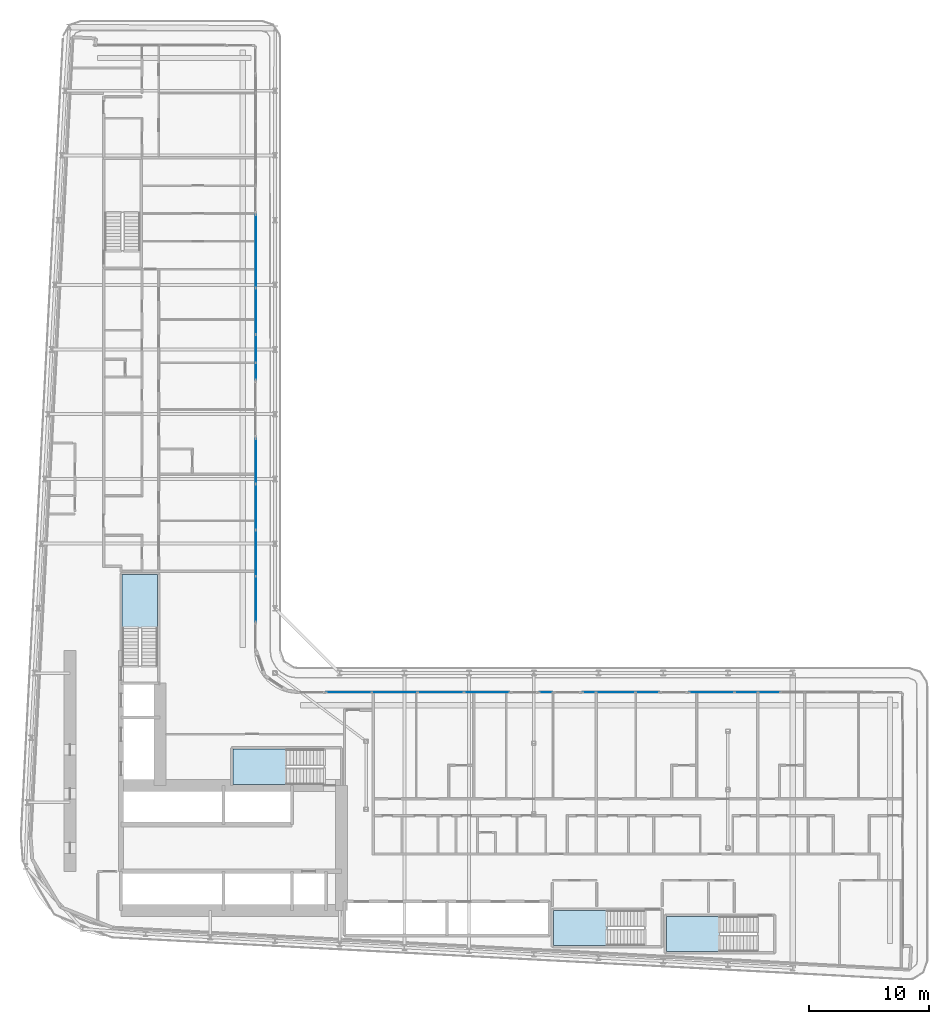
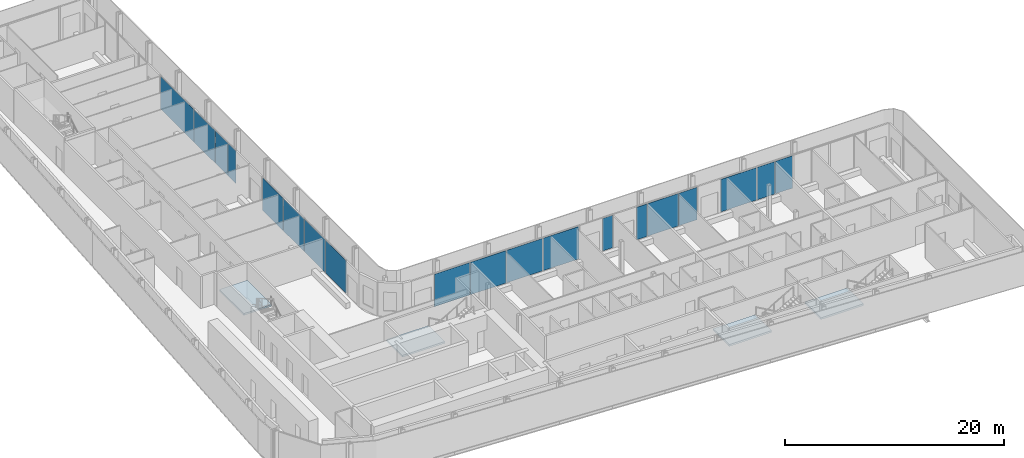
# One storey, part 10 of 29: 19 plates, 4 slabs, 13 elements without a shape of their own.
"""IFC4 building model written with IfcOpenShell, lengths in metres."""

from ifc_helpers import new_model, si_unit, direction, frame, origin, origin_2d, place, context, subcontext, project, spatial, polyline, rectangle, outline, extrude, material, layer, layer_set, type_object, element, aggregate, save


model = new_model("IFC4")

# Units and contexts
model_context = context("Model", 3, precision=1e-05, world=origin(), true_north=direction((0.0, 1.0)))
body_context = subcontext(model_context, "Body", "Model", "MODEL_VIEW")
ifc_project = project(units=[si_unit("LENGTHUNIT", "METRE"), si_unit("AREAUNIT", "SQUARE_METRE"), si_unit("VOLUMEUNIT", "CUBIC_METRE"), si_unit("PLANEANGLEUNIT", "RADIAN"), si_unit("MASSUNIT", "GRAM", prefix="KILO")], contexts=[model_context])

# Site, building, storey
site_placement = place(None, origin())
site = spatial("IfcSite", under=ifc_project, at=site_placement, CompositionType="ELEMENT")
building_placement = place(site_placement, origin())
building = spatial("IfcBuilding", under=site, at=building_placement, Name="Kheshtan School and Residences Tower", CompositionType="ELEMENT")
storey_placement = place(building_placement, frame((0.0, 0.0, 61.699951171875)))
storey = spatial("IfcBuildingStorey", under=building, at=storey_placement, Name="L14", CompositionType="ELEMENT", Elevation=61.699951171875)

# Curtain wall, plate
ifc_material_1 = material(Name="Clear low-e glass in thermally broken aluminium frame", Category="aluminium")
ifc_layer_1 = layer(ifc_material_1, 0.199951171875)
ifc_layer_set_1 = layer_set([ifc_layer_1], Name="Curtain wall CW-L")
curtain_wall_type = type_object("IfcCurtainWallType", Name="Curtain wall CW-L", PredefinedType="NOTDEFINED", material=ifc_layer_set_1)
curtain_wall_1_placement = place(storey_placement, origin())
curtain_wall_1 = element("IfcCurtainWall", 1, at=curtain_wall_1_placement, inside=storey, type_object=curtain_wall_type, Name="Curtain wall CWL8d", PredefinedType="NOTDEFINED")
ifc_layer_2 = layer(ifc_material_1, 0.031982421875)
ifc_layer_set_2 = layer_set([ifc_layer_2], Name="CW-L glass panel")
plate_type = type_object("IfcPlateType", Name="CW-L glass panel", PredefinedType="CURTAIN_PANEL", material=ifc_layer_set_2)
plate_1_placement = place(storey_placement, frame((46.0, 80.80908203125, 0.0), z_axis=(0.0, 0.0, 1.0), x_axis=(0.0, -1.0, 0.0)))
plate_1 = element("IfcPlate", 2, at=plate_1_placement, type_object=plate_type, Name="CWL8d panel 1.1", PredefinedType="CURTAIN_PANEL", context=body_context, shape_type="SweptSolid", body=[
    extrude(rectangle(XDim=6.073974609375, YDim=0.031982421875, at=origin_2d()), origin(), (0.0, 0.0, 1.0), 3.6298828125),
])
aggregate(curtain_wall_1, [plate_1])

# Curtain wall, plates
curtain_wall_2_placement = place(storey_placement, origin())
curtain_wall_2 = element("IfcCurtainWall", 3, at=curtain_wall_2_placement, inside=storey, type_object=curtain_wall_type, Name="Curtain wall CWL8c", PredefinedType="NOTDEFINED")
plate_2_placement = place(storey_placement, frame((46.0, 75.803466796875, 0.0), z_axis=(0.0, 0.0, 1.0), x_axis=(0.0, -1.0, 0.0)))
plate_2 = element("IfcPlate", 4, at=plate_2_placement, type_object=plate_type, Name="CWL8c panel 1.1", PredefinedType="CURTAIN_PANEL", context=body_context, shape_type="SweptSolid", body=[
    extrude(rectangle(XDim=3.81689453125, YDim=0.031982421875, at=origin_2d()), origin(), (0.0, 0.0, 1.0), 3.6298828125),
])
plate_3_placement = place(storey_placement, frame((46.0, 72.6826171875, 0.0), z_axis=(0.0, 0.0, 1.0), x_axis=(0.0, -1.0, 0.0)))
plate_3 = element("IfcPlate", 5, at=plate_3_placement, type_object=plate_type, Name="CWL8c panel 2.1", PredefinedType="CURTAIN_PANEL", context=body_context, shape_type="SweptSolid", body=[
    extrude(rectangle(XDim=2.304931640625, YDim=0.031982421875, at=origin_2d()), origin(), (0.0, 0.0, 1.0), 3.6298828125),
])
plate_4_placement = place(storey_placement, frame((46.0, 70.77392578125, 0.0), z_axis=(0.0, 0.0, 1.0), x_axis=(0.0, -1.0, 0.0)))
plate_4 = element("IfcPlate", 6, at=plate_4_placement, type_object=plate_type, Name="CWL8c panel 3.1", PredefinedType="CURTAIN_PANEL", context=body_context, shape_type="SweptSolid", body=[
    extrude(rectangle(XDim=1.39208984375, YDim=0.031982421875, at=origin_2d()), origin(), (0.0, 0.0, 1.0), 3.6298828125),
])
aggregate(curtain_wall_2, [plate_2, plate_3, plate_4])

curtain_wall_3_placement = place(storey_placement, origin())
curtain_wall_3 = element("IfcCurtainWall", 7, at=curtain_wall_3_placement, inside=storey, type_object=curtain_wall_type, Name="Curtain wall CWL8", PredefinedType="NOTDEFINED")
plate_5_placement = place(storey_placement, frame((46.0, 63.279541015625, 0.0), z_axis=(0.0, 0.0, 1.0), x_axis=(0.0, -1.0, 0.0)))
plate_5 = element("IfcPlate", 8, at=plate_5_placement, type_object=plate_type, Name="CWL8 panel 1.1", PredefinedType="CURTAIN_PANEL", context=body_context, shape_type="SweptSolid", body=[
    extrude(rectangle(XDim=3.757080078125, YDim=0.031982421875, at=origin_2d()), origin(), (0.0, 0.0, 1.0), 3.6298828125),
])
plate_6_placement = place(storey_placement, frame((46.0, 59.46240234375, 0.0), z_axis=(0.0, 0.0, 1.0), x_axis=(0.0, -1.0, 0.0)))
plate_6 = element("IfcPlate", 9, at=plate_6_placement, type_object=plate_type, Name="CWL8 panel 2.1", PredefinedType="CURTAIN_PANEL", context=body_context, shape_type="SweptSolid", body=[
    extrude(rectangle(XDim=3.757080078125, YDim=0.031982421875, at=origin_2d()), origin(), (0.0, 0.0, 1.0), 3.6298828125),
])
aggregate(curtain_wall_3, [plate_5, plate_6])

curtain_wall_4_placement = place(storey_placement, origin())
curtain_wall_4 = element("IfcCurtainWall", 10, at=curtain_wall_4_placement, inside=storey, type_object=curtain_wall_type, Name="Curtain wall CWL8", PredefinedType="NOTDEFINED")
plate_7_placement = place(storey_placement, frame((46.0, 55.615478515625, 0.0), z_axis=(0.0, 0.0, 1.0), x_axis=(0.0, -1.0, 0.0)))
plate_7 = element("IfcPlate", 11, at=plate_7_placement, type_object=plate_type, Name="CWL8 panel 1.1", PredefinedType="CURTAIN_PANEL", context=body_context, shape_type="SweptSolid", body=[
    extrude(rectangle(XDim=3.81689453125, YDim=0.031982421875, at=origin_2d()), origin(), (0.0, 0.0, 1.0), 3.6298828125),
])
plate_8_placement = place(storey_placement, frame((46.0, 51.7685546875, 0.0), z_axis=(0.0, 0.0, 1.0), x_axis=(0.0, -1.0, 0.0)))
plate_8 = element("IfcPlate", 12, at=plate_8_placement, type_object=plate_type, Name="CWL8 panel 2.1", PredefinedType="CURTAIN_PANEL", context=body_context, shape_type="SweptSolid", body=[
    extrude(rectangle(XDim=3.757080078125, YDim=0.031982421875, at=origin_2d()), origin(), (0.0, 0.0, 1.0), 3.6298828125),
])
aggregate(curtain_wall_4, [plate_7, plate_8])

curtain_wall_5_placement = place(storey_placement, origin())
curtain_wall_5 = element("IfcCurtainWall", 13, at=curtain_wall_5_placement, inside=storey, type_object=curtain_wall_type, Name="Curtain wall CWL12j", PredefinedType="NOTDEFINED")
plate_9_placement = place(storey_placement, frame((53.7685546875, 44.0, 0.0), z_axis=(0.0, 0.0, 1.0), x_axis=(1.0, 0.0, 0.0)))
plate_9 = element("IfcPlate", 14, at=plate_9_placement, type_object=plate_type, Name="CWL12j panel 1.1", PredefinedType="CURTAIN_PANEL", context=body_context, shape_type="SweptSolid", body=[
    extrude(rectangle(XDim=3.757080078125, YDim=0.031982421875, at=origin_2d()), origin(), (0.0, 0.0, 1.0), 3.6298828125),
])
plate_10_placement = place(storey_placement, frame((57.58544921875, 44.0, 0.0), z_axis=(0.0, 0.0, 1.0), x_axis=(1.0, 0.0, 0.0)))
plate_10 = element("IfcPlate", 15, at=plate_10_placement, type_object=plate_type, Name="CWL12j panel 2.1", PredefinedType="CURTAIN_PANEL", context=body_context, shape_type="SweptSolid", body=[
    extrude(rectangle(XDim=3.757080078125, YDim=0.031982421875, at=origin_2d()), origin(), (0.0, 0.0, 1.0), 3.6298828125),
])
aggregate(curtain_wall_5, [plate_9, plate_10])

curtain_wall_6_placement = place(storey_placement, origin())
curtain_wall_6 = element("IfcCurtainWall", 16, at=curtain_wall_6_placement, inside=storey, type_object=curtain_wall_type, Name="Curtain wall CWL12j", PredefinedType="NOTDEFINED")
plate_11_placement = place(storey_placement, frame((61.4326171875, 44.0, 0.0), z_axis=(0.0, 0.0, 1.0), x_axis=(1.0, 0.0, 0.0)))
plate_11 = element("IfcPlate", 17, at=plate_11_placement, type_object=plate_type, Name="CWL12j panel 1.1", PredefinedType="CURTAIN_PANEL", context=body_context, shape_type="SweptSolid", body=[
    extrude(rectangle(XDim=3.81689453125, YDim=0.031982421875, at=origin_2d()), origin(), (0.0, 0.0, 1.0), 3.6298828125),
])
plate_12_placement = place(storey_placement, frame((65.279541015625, 44.0, 0.0), z_axis=(0.0, 0.0, 1.0), x_axis=(1.0, 0.0, 0.0)))
plate_12 = element("IfcPlate", 18, at=plate_12_placement, type_object=plate_type, Name="CWL12j panel 2.1", PredefinedType="CURTAIN_PANEL", context=body_context, shape_type="SweptSolid", body=[
    extrude(rectangle(XDim=3.757080078125, YDim=0.031982421875, at=origin_2d()), origin(), (0.0, 0.0, 1.0), 3.6298828125),
])
aggregate(curtain_wall_6, [plate_11, plate_12])

# Curtain wall, plate
curtain_wall_7_placement = place(storey_placement, origin())
curtain_wall_7 = element("IfcCurtainWall", 19, at=curtain_wall_7_placement, inside=storey, type_object=curtain_wall_type, Name="Curtain wall CWL12b", PredefinedType="NOTDEFINED")
plate_13_placement = place(storey_placement, frame((70.218017578125, 44.0, 0.0), z_axis=(0.0, 0.0, 1.0), x_axis=(1.0, 0.0, 0.0)))
plate_13 = element("IfcPlate", 20, at=plate_13_placement, type_object=plate_type, Name="CWL12b panel 1.1", PredefinedType="CURTAIN_PANEL", context=body_context, shape_type="SweptSolid", body=[
    extrude(rectangle(XDim=1.080078125, YDim=0.031982421875, at=origin_2d()), origin(), (0.0, 0.0, 1.0), 3.6298828125),
])
aggregate(curtain_wall_7, [plate_13])

# Curtain wall, plates
curtain_wall_8_placement = place(storey_placement, origin())
curtain_wall_8 = element("IfcCurtainWall", 21, at=curtain_wall_8_placement, inside=storey, type_object=curtain_wall_type, Name="Curtain wall CWL12l", PredefinedType="NOTDEFINED")
plate_14_placement = place(storey_placement, frame((73.823974609375, 44.0, 0.0), z_axis=(0.0, 0.0, 1.0), x_axis=(1.0, 0.0, 0.0)))
plate_14 = element("IfcPlate", 22, at=plate_14_placement, type_object=plate_type, Name="CWL12l panel 1.1", PredefinedType="CURTAIN_PANEL", context=body_context, shape_type="SweptSolid", body=[
    extrude(rectangle(XDim=1.092041015625, YDim=0.031982421875, at=origin_2d()), origin(), (0.0, 0.0, 1.0), 3.6298828125),
])
plate_15_placement = place(storey_placement, frame((76.050048828125, 44.0, 0.0), z_axis=(0.0, 0.0, 1.0), x_axis=(1.0, 0.0, 0.0)))
plate_15 = element("IfcPlate", 23, at=plate_15_placement, type_object=plate_type, Name="CWL12l panel 2.1", PredefinedType="CURTAIN_PANEL", context=body_context, shape_type="SweptSolid", body=[
    extrude(rectangle(XDim=3.239990234375, YDim=0.031982421875, at=origin_2d()), origin(), (0.0, 0.0, 1.0), 3.6298828125),
])
plate_16_placement = place(storey_placement, frame((78.69091796875, 44.0, 0.0), z_axis=(0.0, 0.0, 1.0), x_axis=(1.0, 0.0, 0.0)))
plate_16 = element("IfcPlate", 24, at=plate_16_placement, type_object=plate_type, Name="CWL12l panel 3.1", PredefinedType="CURTAIN_PANEL", context=body_context, shape_type="SweptSolid", body=[
    extrude(rectangle(XDim=1.922119140625, YDim=0.031982421875, at=origin_2d()), origin(), (0.0, 0.0, 1.0), 3.6298828125),
])
aggregate(curtain_wall_8, [plate_14, plate_15, plate_16])

curtain_wall_9_placement = place(storey_placement, origin())
curtain_wall_9 = element("IfcCurtainWall", 25, at=curtain_wall_9_placement, inside=storey, type_object=curtain_wall_type, Name="Curtain wall CWL12k", PredefinedType="NOTDEFINED")
plate_17_placement = place(storey_placement, frame((84.050537109375, 44.0, 0.0), z_axis=(0.0, 0.0, 1.0), x_axis=(1.0, 0.0, 0.0)))
plate_17 = element("IfcPlate", 26, at=plate_17_placement, type_object=plate_type, Name="CWL12k panel 1.1", PredefinedType="CURTAIN_PANEL", context=body_context, shape_type="SweptSolid", body=[
    extrude(rectangle(XDim=3.757080078125, YDim=0.031982421875, at=origin_2d()), origin(), (0.0, 0.0, 1.0), 3.6298828125),
])
plate_18_placement = place(storey_placement, frame((86.929443359375, 44.0, 0.0), z_axis=(0.0, 0.0, 1.0), x_axis=(1.0, 0.0, 0.0)))
plate_18 = element("IfcPlate", 27, at=plate_18_placement, type_object=plate_type, Name="CWL12k panel 2.1", PredefinedType="CURTAIN_PANEL", context=body_context, shape_type="SweptSolid", body=[
    extrude(rectangle(XDim=1.881103515625, YDim=0.031982421875, at=origin_2d()), origin(), (0.0, 0.0, 1.0), 3.6298828125),
])
plate_19_placement = place(storey_placement, frame((88.837890625, 44.0, 0.0), z_axis=(0.0, 0.0, 1.0), x_axis=(1.0, 0.0, 0.0)))
plate_19 = element("IfcPlate", 28, at=plate_19_placement, type_object=plate_type, Name="CWL12k panel 3.1", PredefinedType="CURTAIN_PANEL", context=body_context, shape_type="SweptSolid", body=[
    extrude(rectangle(XDim=1.81591796875, YDim=0.031982421875, at=origin_2d()), origin(), (0.0, 0.0, 1.0), 3.6298828125),
])
aggregate(curtain_wall_9, [plate_17, plate_18, plate_19])

# Stair, slab
ifc_material_2 = material(Name="Concrete C40/50", Category="concrete")
stair_type = type_object("IfcStairType", Name="Exit stair, half-turn", PredefinedType="HALF_TURN_STAIR", material=ifc_material_2)
stair_1_placement = place(storey_placement, origin())
stair_1 = element("IfcStair", 29, at=stair_1_placement, inside=storey, type_object=stair_type, Name="L14 Protected Exit Stair ST1", PredefinedType="HALF_TURN_STAIR")
ifc_layer_3 = layer(ifc_material_2, 0.199951171875)
ifc_layer_set_3 = layer_set([ifc_layer_3], Name="Stair landing 200 Concrete C40/50")
slab_type = type_object("IfcSlabType", Name="Stair landing 200 Concrete C40/50", PredefinedType="LANDING", material=ifc_layer_set_3)
slab_1_placement = place(storey_placement, frame((0.0, 0.0, 1.75)))
slab_1 = element("IfcSlab", 30, at=slab_1_placement, type_object=slab_type, Name="ST1 landing 1", PredefinedType="LANDING", context=body_context, shape_type="SweptSolid", body=[
    extrude(outline(polyline([(48.570068359375, 39.25), (44.090087890625, 39.25), (44.090087890625, 36.300048828125), (48.570068359375, 36.300048828125), (48.570068359375, 39.25)])), origin(), (0.0, 0.0, 1.0), 0.199951171875),
])
aggregate(stair_1, [slab_1])

stair_2_placement = place(storey_placement, origin())
stair_2 = element("IfcStair", 31, at=stair_2_placement, inside=storey, type_object=stair_type, Name="L14 Protected Exit Stair ST2", PredefinedType="HALF_TURN_STAIR")
slab_2_placement = place(storey_placement, frame((0.0, 0.0, 1.75)))
slab_2 = element("IfcSlab", 32, at=slab_2_placement, type_object=slab_type, Name="ST2 landing 1", PredefinedType="LANDING", context=body_context, shape_type="SweptSolid", body=[
    extrude(outline(polyline([(37.800048828125, 49.330078125), (37.800048828125, 53.81005859375), (34.85009765625, 53.81005859375), (34.85009765625, 49.330078125), (37.800048828125, 49.330078125)])), origin(), (0.0, 0.0, 1.0), 0.199951171875),
])
aggregate(stair_2, [slab_2])

stair_3_placement = place(storey_placement, origin())
stair_3 = element("IfcStair", 33, at=stair_3_placement, inside=storey, type_object=stair_type, Name="L14 Protected Exit Stair ST4", PredefinedType="HALF_TURN_STAIR")
slab_3_placement = place(storey_placement, frame((0.0, 0.0, 1.75)))
slab_3 = element("IfcSlab", 34, at=slab_3_placement, type_object=slab_type, Name="ST4 landing 1", PredefinedType="LANDING", context=body_context, shape_type="SweptSolid", body=[
    extrude(outline(polyline([(84.739990234375, 25.300048828125), (80.260009765625, 25.300048828125), (80.260009765625, 22.35009765625), (84.739990234375, 22.35009765625), (84.739990234375, 25.300048828125)])), origin(), (0.0, 0.0, 1.0), 0.199951171875),
])
aggregate(stair_3, [slab_3])

stair_4_placement = place(storey_placement, origin())
stair_4 = element("IfcStair", 35, at=stair_4_placement, inside=storey, type_object=stair_type, Name="L14 Protected Exit Stair ST5", PredefinedType="HALF_TURN_STAIR")
slab_4_placement = place(storey_placement, frame((0.0, 0.0, 1.75)))
slab_4 = element("IfcSlab", 36, at=slab_4_placement, type_object=slab_type, Name="ST5 landing 1", PredefinedType="LANDING", context=body_context, shape_type="SweptSolid", body=[
    extrude(outline(polyline([(75.330078125, 25.800048828125), (70.85009765625, 25.800048828125), (70.85009765625, 22.85009765625), (75.330078125, 22.85009765625), (75.330078125, 25.800048828125)])), origin(), (0.0, 0.0, 1.0), 0.199951171875),
])
aggregate(stair_4, [slab_4])

save(model, "model.ifc")
